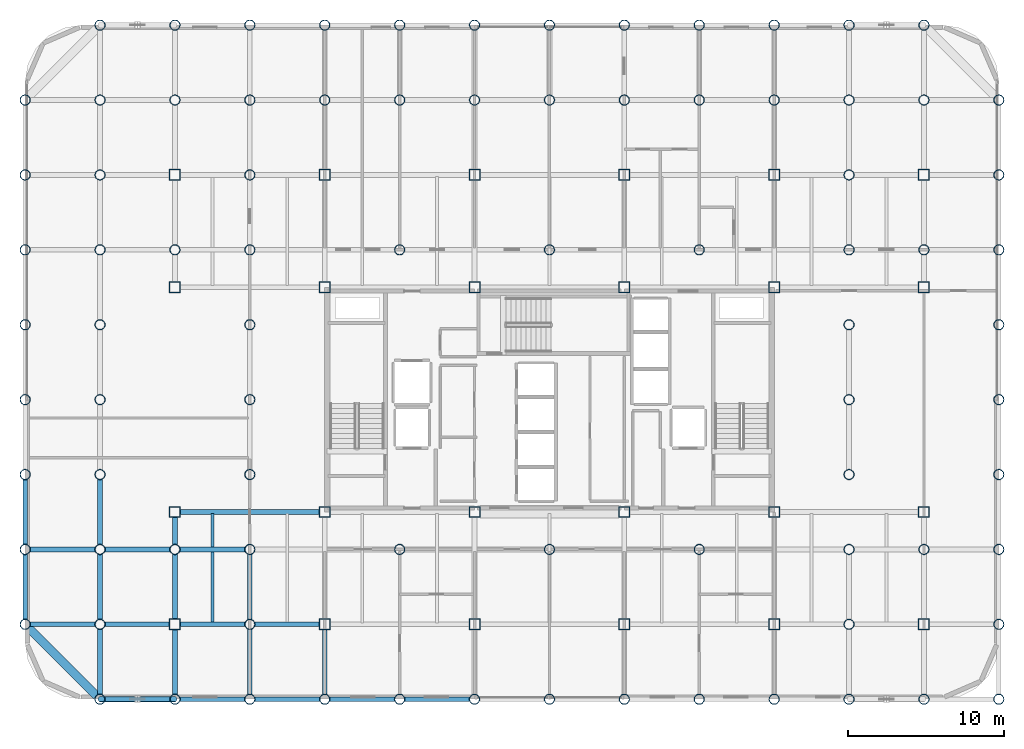
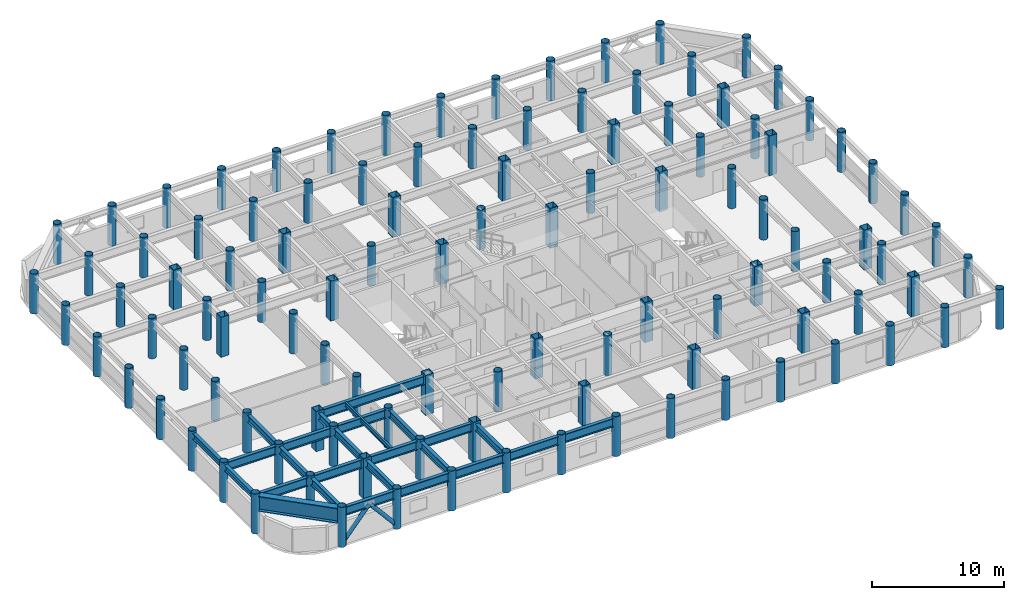
# One storey, part 1 of 20: 108 columns, 26 beams, 2 members.
"""IFC4 building model written with IfcOpenShell, lengths in metres."""

from ifc_helpers import new_model, si_unit, direction, frame, origin, origin_2d, place, context, subcontext, project, spatial, hollow_rectangle, hollow_circle, i_section, extrude, material, material_profile, profile_set, type_object, element, save


model = new_model("IFC4")

# Units and contexts
model_context = context("Model", 3, precision=1e-05, world=origin(), true_north=direction((0.0, 1.0)))
body_context = subcontext(model_context, "Body", "Model", "MODEL_VIEW")
ifc_project = project(units=[si_unit("LENGTHUNIT", "METRE"), si_unit("AREAUNIT", "SQUARE_METRE"), si_unit("VOLUMEUNIT", "CUBIC_METRE"), si_unit("PLANEANGLEUNIT", "RADIAN"), si_unit("MASSUNIT", "GRAM", prefix="KILO")], contexts=[model_context])

# Site, building, storey
site_placement = place(None, origin())
site = spatial("IfcSite", under=ifc_project, at=site_placement, CompositionType="ELEMENT")
building_placement = place(site_placement, origin())
building = spatial("IfcBuilding", under=site, at=building_placement, Name="Kallvorn Hotel Tower", CompositionType="ELEMENT")
storey_placement = place(building_placement, frame((0.0, 0.0, 143.300048828125)))
storey = spatial("IfcBuildingStorey", under=building, at=storey_placement, Name="L35", CompositionType="ELEMENT", Elevation=143.300048828125)

# Columns
ifc_material_1 = material(Name="Structural steel S355J2H", Category="steel")
ifc_material_profile_1 = material_profile(ifc_material_1, hollow_circle(Radius=0.330078125, WallThickness=0.028076171875, at=origin_2d()), Name="CHS 660x28")
ifc_profile_set_1 = profile_set([ifc_material_profile_1], Name="Structural steel S355J2H")
column_type_1 = type_object("IfcColumnType", Name="COL_CHS_660", PredefinedType="COLUMN", material=ifc_profile_set_1)
for number, where, z_axis, x_axis, name in (
    (1, (-33.60009765625, -14.39990234375, 0.0), (0.0, 0.0, 1.0), (1.0, 0.0, 0.0), "L35 Exoskeleton Column EC01"),
    (2, (-33.60009765625, -9.60009765625, 0.0), (0.0, 0.0, 1.0), (1.0, 0.0, 0.0), "L35 Exoskeleton Column EC02"),
    (3, (-33.60009765625, -4.800048828125, 0.0), (0.0, 0.0, 1.0), (1.0, 0.0, 0.0), "L35 Exoskeleton Column EC03"),
    (4, (-33.60009765625, 0.0, 0.0), (0.0, 0.0, 1.0), (1.0, 0.0, 0.0), "L35 Exoskeleton Column EC04"),
    (5, (-33.60009765625, 4.800048828125, 0.0), (0.0, 0.0, 1.0), (1.0, 0.0, 0.0), "L35 Exoskeleton Column EC05"),
    (6, (-33.60009765625, 9.60009765625, 0.0), (0.0, 0.0, 1.0), (1.0, 0.0, 0.0), "L35 Exoskeleton Column EC06"),
    (7, (-33.60009765625, 14.39990234375, 0.0), (0.0, 0.0, 1.0), (1.0, 0.0, 0.0), "L35 Exoskeleton Column EC07"),
    (8, (-33.60009765625, 19.199951171875, 0.0), (0.0, 0.0, 1.0), (1.0, 0.0, 0.0), "L35 Exoskeleton Column EC08"),
    (9, (-28.800048828125, -19.199951171875, 0.0), (0.0, 0.0, 1.0), (1.0, 0.0, 0.0), "L35 Exoskeleton Column EC09"),
    (10, (-28.800048828125, -14.39990234375, 0.0), (0.0, 0.0, 1.0), (1.0, 0.0, 0.0), "L35 Exoskeleton Column EC10"),
    (11, (-28.800048828125, -9.60009765625, 0.0), (0.0, 0.0, 1.0), (1.0, 0.0, 0.0), "L35 Exoskeleton Column EC11"),
    (12, (-28.800048828125, -4.800048828125, 0.0), (0.0, 0.0, 1.0), (1.0, 0.0, 0.0), "L35 Exoskeleton Column EC12"),
    (13, (-28.800048828125, 0.0, 0.0), (0.0, 0.0, 1.0), (1.0, 0.0, 0.0), "L35 Exoskeleton Column EC13"),
    (14, (-28.800048828125, 4.800048828125, 0.0), (0.0, 0.0, 1.0), (1.0, 0.0, 0.0), "L35 Exoskeleton Column EC14"),
    (15, (-28.800048828125, 9.60009765625, 0.0), (0.0, 0.0, 1.0), (1.0, 0.0, 0.0), "L35 Exoskeleton Column EC15"),
    (16, (-28.800048828125, 14.39990234375, 0.0), (0.0, 0.0, 1.0), (1.0, 0.0, 0.0), "L35 Exoskeleton Column EC16"),
    (17, (-28.800048828125, 19.199951171875, 0.0), (0.0, 0.0, 1.0), (1.0, 0.0, 0.0), "L35 Exoskeleton Column EC17"),
    (18, (-28.800048828125, 24.0, 0.0), (0.0, 0.0, 1.0), (1.0, 0.0, 0.0), "L35 Exoskeleton Column EC18"),
    (19, (-24.0, -19.199951171875, 0.0), (0.0, 0.0, 1.0), (1.0, 0.0, 0.0), "L35 Exoskeleton Column EC19"),
    (20, (-24.0, -9.60009765625, 0.0), (0.0, 0.0, 1.0), (1.0, 0.0, 0.0), "L35 Exoskeleton Column EC20"),
    (21, (-24.0, 9.60009765625, 0.0), (0.0, 0.0, 1.0), (1.0, 0.0, 0.0), "L35 Exoskeleton Column EC21"),
    (22, (-24.0, 19.199951171875, 0.0), (0.0, 0.0, 1.0), (1.0, 0.0, 0.0), "L35 Exoskeleton Column EC22"),
    (23, (-24.0, 24.0, 0.0), (0.0, 0.0, 1.0), (1.0, 0.0, 0.0), "L35 Exoskeleton Column EC23"),
    (24, (-19.199951171875, -19.199951171875, 0.0), (0.0, 0.0, 1.0), (1.0, 0.0, 0.0), "L35 Exoskeleton Column EC24"),
    (25, (-19.199951171875, -14.39990234375, 0.0), (0.0, 0.0, 1.0), (1.0, 0.0, 0.0), "L35 Exoskeleton Column EC25"),
    (26, (-19.199951171875, -9.60009765625, 0.0), (0.0, 0.0, 1.0), (1.0, 0.0, 0.0), "L35 Exoskeleton Column EC26"),
    (27, (-19.199951171875, -4.800048828125, 0.0), (0.0, 0.0, 1.0), (1.0, 0.0, 0.0), "L35 Exoskeleton Column EC27"),
    (28, (-19.199951171875, 0.0, 0.0), (0.0, 0.0, 1.0), (1.0, 0.0, 0.0), "L35 Exoskeleton Column EC28"),
    (29, (-19.199951171875, 4.800048828125, 0.0), (0.0, 0.0, 1.0), (1.0, 0.0, 0.0), "L35 Exoskeleton Column EC29"),
    (30, (-19.199951171875, 9.60009765625, 0.0), (0.0, 0.0, 1.0), (1.0, 0.0, 0.0), "L35 Exoskeleton Column EC30"),
    (31, (-19.199951171875, 14.39990234375, 0.0), (0.0, 0.0, 1.0), (1.0, 0.0, 0.0), "L35 Exoskeleton Column EC31"),
    (32, (-19.199951171875, 19.199951171875, 0.0), (0.0, 0.0, 1.0), (1.0, 0.0, 0.0), "L35 Exoskeleton Column EC32"),
    (33, (-19.199951171875, 24.0, 0.0), (0.0, 0.0, 1.0), (1.0, 0.0, 0.0), "L35 Exoskeleton Column EC33"),
    (34, (-14.39990234375, -19.199951171875, 0.0), (0.0, 0.0, 1.0), (1.0, 0.0, 0.0), "L35 Exoskeleton Column EC34"),
    (35, (-14.39990234375, 19.199951171875, 0.0), (0.0, 0.0, 1.0), (1.0, 0.0, 0.0), "L35 Exoskeleton Column EC35"),
    (36, (-14.39990234375, 24.0, 0.0), (0.0, 0.0, 1.0), (1.0, 0.0, 0.0), "L35 Exoskeleton Column EC36"),
    (37, (-9.60009765625, -19.199951171875, 0.0), (0.0, 0.0, 1.0), (1.0, 0.0, 0.0), "L35 Exoskeleton Column EC37"),
    (38, (-9.60009765625, -9.60009765625, 0.0), (0.0, 0.0, 1.0), (1.0, 0.0, 0.0), "L35 Exoskeleton Column EC38"),
    (39, (-9.60009765625, 9.60009765625, 0.0), (0.0, 0.0, 1.0), (1.0, 0.0, 0.0), "L35 Exoskeleton Column EC39"),
    (40, (-9.60009765625, 19.199951171875, 0.0), (0.0, 0.0, 1.0), (1.0, 0.0, 0.0), "L35 Exoskeleton Column EC40"),
    (41, (-9.60009765625, 24.0, 0.0), (0.0, 0.0, 1.0), (1.0, 0.0, 0.0), "L35 Exoskeleton Column EC41"),
    (42, (-4.800048828125, -19.199951171875, 0.0), (0.0, 0.0, 1.0), (1.0, 0.0, 0.0), "L35 Exoskeleton Column EC42"),
    (43, (-4.800048828125, 19.199951171875, 0.0), (0.0, 0.0, 1.0), (1.0, 0.0, 0.0), "L35 Exoskeleton Column EC43"),
    (44, (-4.800048828125, 24.0, 0.0), (0.0, 0.0, 1.0), (1.0, 0.0, 0.0), "L35 Exoskeleton Column EC44"),
    (45, (0.0, -19.199951171875, 0.0), (0.0, 0.0, 1.0), (1.0, 0.0, 0.0), "L35 Exoskeleton Column EC45"),
    (46, (0.0, -9.60009765625, 0.0), (0.0, 0.0, 1.0), (1.0, 0.0, 0.0), "L35 Exoskeleton Column EC46"),
    (47, (0.0, 9.60009765625, 0.0), (0.0, 0.0, 1.0), (1.0, 0.0, 0.0), "L35 Exoskeleton Column EC47"),
    (48, (0.0, 19.199951171875, 0.0), (0.0, 0.0, 1.0), (1.0, 0.0, 0.0), "L35 Exoskeleton Column EC48"),
    (49, (0.0, 24.0, 0.0), (0.0, 0.0, 1.0), (1.0, 0.0, 0.0), "L35 Exoskeleton Column EC49"),
    (50, (4.800048828125, -19.199951171875, 0.0), (0.0, 0.0, 1.0), (1.0, 0.0, 0.0), "L35 Exoskeleton Column EC50"),
    (51, (4.800048828125, 19.199951171875, 0.0), (0.0, 0.0, 1.0), (1.0, 0.0, 0.0), "L35 Exoskeleton Column EC51"),
    (52, (4.800048828125, 24.0, 0.0), (0.0, 0.0, 1.0), (1.0, 0.0, 0.0), "L35 Exoskeleton Column EC52"),
    (53, (9.60009765625, -19.199951171875, 0.0), (0.0, 0.0, 1.0), (1.0, 0.0, 0.0), "L35 Exoskeleton Column EC53"),
    (54, (9.60009765625, -9.60009765625, 0.0), (0.0, 0.0, 1.0), (1.0, 0.0, 0.0), "L35 Exoskeleton Column EC54"),
    (55, (9.60009765625, 9.60009765625, 0.0), (0.0, 0.0, 1.0), (1.0, 0.0, 0.0), "L35 Exoskeleton Column EC55"),
    (56, (9.60009765625, 19.199951171875, 0.0), (0.0, 0.0, 1.0), (1.0, 0.0, 0.0), "L35 Exoskeleton Column EC56"),
    (57, (9.60009765625, 24.0, 0.0), (0.0, 0.0, 1.0), (1.0, 0.0, 0.0), "L35 Exoskeleton Column EC57"),
    (58, (14.39990234375, -19.199951171875, 0.0), (0.0, 0.0, 1.0), (1.0, 0.0, 0.0), "L35 Exoskeleton Column EC58"),
    (59, (14.39990234375, 19.199951171875, 0.0), (0.0, 0.0, 1.0), (1.0, 0.0, 0.0), "L35 Exoskeleton Column EC59"),
    (60, (14.39990234375, 24.0, 0.0), (0.0, 0.0, 1.0), (1.0, 0.0, 0.0), "L35 Exoskeleton Column EC60"),
    (61, (19.199951171875, -19.199951171875, 0.0), (0.0, 0.0, 1.0), (1.0, 0.0, 0.0), "L35 Exoskeleton Column EC61"),
    (62, (19.199951171875, -14.39990234375, 0.0), (0.0, 0.0, 1.0), (1.0, 0.0, 0.0), "L35 Exoskeleton Column EC62"),
    (63, (19.199951171875, -9.60009765625, 0.0), (0.0, 0.0, 1.0), (1.0, 0.0, 0.0), "L35 Exoskeleton Column EC63"),
    (64, (19.199951171875, -4.800048828125, 0.0), (0.0, 0.0, 1.0), (1.0, 0.0, 0.0), "L35 Exoskeleton Column EC64"),
    (65, (19.199951171875, 0.0, 0.0), (0.0, 0.0, 1.0), (1.0, 0.0, 0.0), "L35 Exoskeleton Column EC65"),
    (66, (19.199951171875, 4.800048828125, 0.0), (0.0, 0.0, 1.0), (1.0, 0.0, 0.0), "L35 Exoskeleton Column EC66"),
    (67, (19.199951171875, 9.60009765625, 0.0), (0.0, 0.0, 1.0), (1.0, 0.0, 0.0), "L35 Exoskeleton Column EC67"),
    (68, (19.199951171875, 14.39990234375, 0.0), (0.0, 0.0, 1.0), (1.0, 0.0, 0.0), "L35 Exoskeleton Column EC68"),
    (69, (19.199951171875, 19.199951171875, 0.0), (0.0, 0.0, 1.0), (1.0, 0.0, 0.0), "L35 Exoskeleton Column EC69"),
    (70, (19.199951171875, 24.0, 0.0), (0.0, 0.0, 1.0), (1.0, 0.0, 0.0), "L35 Exoskeleton Column EC70"),
    (71, (24.0, -19.199951171875, 0.0), (0.0, 0.0, 1.0), (1.0, 0.0, 0.0), "L35 Exoskeleton Column EC71"),
    (72, (24.0, -9.60009765625, 0.0), (0.0, 0.0, 1.0), (1.0, 0.0, 0.0), "L35 Exoskeleton Column EC72"),
    (73, (24.0, 9.60009765625, 0.0), (0.0, 0.0, 1.0), (1.0, 0.0, 0.0), "L35 Exoskeleton Column EC73"),
    (74, (24.0, 19.199951171875, 0.0), (0.0, 0.0, 1.0), (1.0, 0.0, 0.0), "L35 Exoskeleton Column EC74"),
    (75, (24.0, 24.0, 0.0), (0.0, 0.0, 1.0), (1.0, 0.0, 0.0), "L35 Exoskeleton Column EC75"),
    (76, (28.800048828125, -19.199951171875, 0.0), (0.0, 0.0, 1.0), (1.0, 0.0, 0.0), "L35 Exoskeleton Column EC76"),
    (77, (28.800048828125, -14.39990234375, 0.0), (0.0, 0.0, 1.0), (1.0, 0.0, 0.0), "L35 Exoskeleton Column EC77"),
    (78, (28.800048828125, -9.60009765625, 0.0), (0.0, 0.0, 1.0), (1.0, 0.0, 0.0), "L35 Exoskeleton Column EC78"),
    (79, (28.800048828125, -4.800048828125, 0.0), (0.0, 0.0, 1.0), (1.0, 0.0, 0.0), "L35 Exoskeleton Column EC79"),
    (80, (28.800048828125, 0.0, 0.0), (0.0, 0.0, 1.0), (1.0, 0.0, 0.0), "L35 Exoskeleton Column EC80"),
    (81, (28.800048828125, 4.800048828125, 0.0), (0.0, 0.0, 1.0), (1.0, 0.0, 0.0), "L35 Exoskeleton Column EC81"),
    (82, (28.800048828125, 9.60009765625, 0.0), (0.0, 0.0, 1.0), (1.0, 0.0, 0.0), "L35 Exoskeleton Column EC82"),
    (83, (28.800048828125, 14.39990234375, 0.0), (0.0, 0.0, 1.0), (1.0, 0.0, 0.0), "L35 Exoskeleton Column EC83"),
    (84, (28.800048828125, 19.199951171875, 0.0), (0.0, 0.0, 1.0), (1.0, 0.0, 0.0), "L35 Exoskeleton Column EC84"),
):
    element("IfcColumn", number, at=place(storey_placement, frame(where, z_axis=z_axis, x_axis=x_axis)), inside=storey, type_object=column_type_1, Name=name, PredefinedType="COLUMN", context=body_context, shape_type="SweptSolid", body=[
        extrude(hollow_circle(Radius=0.330078125, WallThickness=0.028076171875, at=origin_2d()), origin(), (0.0, 0.0, 1.0), 3.699951171875),
    ])
ifc_material_2 = material(Name="Structural steel S355J2H", Category="steel")
ifc_material_profile_2 = material_profile(ifc_material_2, hollow_rectangle(XDim=0.699951171875, YDim=0.699951171875, WallThickness=0.031982421875, at=origin_2d()), Name="RHS 700x700x32")
ifc_profile_set_2 = profile_set([ifc_material_profile_2], Name="Structural steel S355J2H")
column_type_2 = type_object("IfcColumnType", Name="COL_RHS_700", PredefinedType="COLUMN", material=ifc_profile_set_2)
for number, where, z_axis, x_axis, name in (
    (85, (-24.0, -14.39990234375, 0.0), (0.0, 0.0, 1.0), (1.0, 0.0, 0.0), "L35 Inner Column IC01"),
    (86, (-24.0, -7.199951171875, 0.0), (0.0, 0.0, 1.0), (1.0, 0.0, 0.0), "L35 Inner Column IC02"),
    (87, (-24.0, 7.199951171875, 0.0), (0.0, 0.0, 1.0), (1.0, 0.0, 0.0), "L35 Inner Column IC03"),
    (88, (-24.0, 14.39990234375, 0.0), (0.0, 0.0, 1.0), (1.0, 0.0, 0.0), "L35 Inner Column IC04"),
    (89, (-14.39990234375, -14.39990234375, 0.0), (0.0, 0.0, 1.0), (1.0, 0.0, 0.0), "L35 Inner Column IC05"),
    (90, (-14.39990234375, -7.199951171875, 0.0), (0.0, 0.0, 1.0), (1.0, 0.0, 0.0), "L35 Inner Column IC06"),
    (91, (-14.39990234375, 7.199951171875, 0.0), (0.0, 0.0, 1.0), (1.0, 0.0, 0.0), "L35 Inner Column IC07"),
    (92, (-14.39990234375, 14.39990234375, 0.0), (0.0, 0.0, 1.0), (1.0, 0.0, 0.0), "L35 Inner Column IC08"),
    (93, (-4.800048828125, -14.39990234375, 0.0), (0.0, 0.0, 1.0), (1.0, 0.0, 0.0), "L35 Inner Column IC09"),
    (94, (-4.800048828125, -7.199951171875, 0.0), (0.0, 0.0, 1.0), (1.0, 0.0, 0.0), "L35 Inner Column IC10"),
    (95, (-4.800048828125, 7.199951171875, 0.0), (0.0, 0.0, 1.0), (1.0, 0.0, 0.0), "L35 Inner Column IC11"),
    (96, (-4.800048828125, 14.39990234375, 0.0), (0.0, 0.0, 1.0), (1.0, 0.0, 0.0), "L35 Inner Column IC12"),
    (97, (4.800048828125, -14.39990234375, 0.0), (0.0, 0.0, 1.0), (1.0, 0.0, 0.0), "L35 Inner Column IC13"),
    (98, (4.800048828125, -7.199951171875, 0.0), (0.0, 0.0, 1.0), (1.0, 0.0, 0.0), "L35 Inner Column IC14"),
    (99, (4.800048828125, 7.199951171875, 0.0), (0.0, 0.0, 1.0), (1.0, 0.0, 0.0), "L35 Inner Column IC15"),
    (100, (4.800048828125, 14.39990234375, 0.0), (0.0, 0.0, 1.0), (1.0, 0.0, 0.0), "L35 Inner Column IC16"),
    (101, (14.39990234375, -14.39990234375, 0.0), (0.0, 0.0, 1.0), (1.0, 0.0, 0.0), "L35 Inner Column IC17"),
    (102, (14.39990234375, -7.199951171875, 0.0), (0.0, 0.0, 1.0), (1.0, 0.0, 0.0), "L35 Inner Column IC18"),
    (103, (14.39990234375, 7.199951171875, 0.0), (0.0, 0.0, 1.0), (1.0, 0.0, 0.0), "L35 Inner Column IC19"),
    (104, (14.39990234375, 14.39990234375, 0.0), (0.0, 0.0, 1.0), (1.0, 0.0, 0.0), "L35 Inner Column IC20"),
    (105, (24.0, -14.39990234375, 0.0), (0.0, 0.0, 1.0), (1.0, 0.0, 0.0), "L35 Inner Column IC21"),
    (106, (24.0, -7.199951171875, 0.0), (0.0, 0.0, 1.0), (1.0, 0.0, 0.0), "L35 Inner Column IC22"),
    (107, (24.0, 7.199951171875, 0.0), (0.0, 0.0, 1.0), (1.0, 0.0, 0.0), "L35 Inner Column IC23"),
    (108, (24.0, 14.39990234375, 0.0), (0.0, 0.0, 1.0), (1.0, 0.0, 0.0), "L35 Inner Column IC24"),
):
    element("IfcColumn", number, at=place(storey_placement, frame(where, z_axis=z_axis, x_axis=x_axis)), inside=storey, type_object=column_type_2, Name=name, PredefinedType="COLUMN", context=body_context, shape_type="SweptSolid", body=[
        extrude(hollow_rectangle(XDim=0.699951171875, YDim=0.699951171875, WallThickness=0.031982421875, at=origin_2d()), origin(), (0.0, 0.0, 1.0), 3.699951171875),
    ])

# Beams
ifc_material_3 = material(Name="Structural steel S355JR", Category="steel")
ifc_material_profile_3 = material_profile(ifc_material_3, i_section(OverallWidth=0.300048828125, OverallDepth=0.550048828125, WebThickness=0.014892578125, FlangeThickness=0.029052734375, at=origin_2d()), Name="HE 550 B")
ifc_profile_set_3 = profile_set([ifc_material_profile_3], Name="Structural steel S355JR")
beam_type_1 = type_object("IfcBeamType", Name="BM_HE550B", PredefinedType="SPANDREL", material=ifc_profile_set_3)
beam_1_placement = place(storey_placement, frame((-33.60009765625, -14.080078125, 3.244873046875), z_axis=(0.0, 1.0, 0.0), x_axis=(-1.0, 0.0, 0.0)))
element("IfcBeam", 109, at=beam_1_placement, inside=storey, type_object=beam_type_1, Name="L36 Perimeter Spandrel 174", PredefinedType="SPANDREL", context=body_context, shape_type="SweptSolid", body=[
    extrude(i_section(OverallWidth=0.300048828125, OverallDepth=0.550048828125, WebThickness=0.014892578125, FlangeThickness=0.029052734375, at=origin_2d()), origin(), (0.0, 0.0, 1.0), 4.16015625),
])
beam_2_placement = place(storey_placement, frame((-33.60009765625, -9.280029296875, 3.244873046875), z_axis=(0.0, 1.0, 0.0), x_axis=(-1.0, 0.0, 0.0)))
element("IfcBeam", 110, at=beam_2_placement, inside=storey, type_object=beam_type_1, Name="L36 Perimeter Spandrel 175", PredefinedType="SPANDREL", context=body_context, shape_type="SweptSolid", body=[
    extrude(i_section(OverallWidth=0.300048828125, OverallDepth=0.550048828125, WebThickness=0.014892578125, FlangeThickness=0.029052734375, at=origin_2d()), origin(), (0.0, 0.0, 1.0), 4.159912109375),
])
ifc_material_4 = material(Name="Structural steel S355JR", Category="steel")
ifc_material_profile_4 = material_profile(ifc_material_4, i_section(OverallWidth=0.300048828125, OverallDepth=0.64990234375, WebThickness=0.01611328125, FlangeThickness=0.031005859375, at=origin_2d()), Name="HE 650 B")
ifc_profile_set_4 = profile_set([ifc_material_profile_4], Name="Structural steel S355JR")
beam_type_2 = type_object("IfcBeamType", Name="BM_HE650B", PredefinedType="BEAM", material=ifc_profile_set_4)
for number, where, z_axis, x_axis, name in (
    (111, (-28.800048828125, -18.89501953125, 3.195068359375), (0.0, 1.0, 0.0), (-1.0, 0.0, 0.0), "L36 Primary Y-Girder 73"),
    (112, (-28.800048828125, -14.094970703125, 3.195068359375), (0.0, 1.0, 0.0), (-1.0, 0.0, 0.0), "L36 Primary Y-Girder 74"),
    (113, (-28.800048828125, -9.294921875, 3.195068359375), (0.0, 1.0, 0.0), (-1.0, 0.0, 0.0), "L36 Primary Y-Girder 75"),
):
    element("IfcBeam", number, at=place(storey_placement, frame(where, z_axis=z_axis, x_axis=x_axis)), inside=storey, type_object=beam_type_2, Name=name, PredefinedType="BEAM", context=body_context, shape_type="SweptSolid", body=[
        extrude(i_section(OverallWidth=0.300048828125, OverallDepth=0.64990234375, WebThickness=0.01611328125, FlangeThickness=0.031005859375, at=origin_2d()), origin(), (0.0, 0.0, 1.0), 4.18994140625),
    ])
for number, where, z_axis, x_axis, name in (
    (114, (-24.0, -18.89501953125, 3.195068359375), (0.0, 1.0, 0.0), (-1.0, 0.0, 0.0), "L36 Primary Y-Girder 82"),
    (115, (-24.0, -14.074951171875, 3.195068359375), (0.0, 1.0, 0.0), (-1.0, 0.0, 0.0), "L36 Primary Y-Girder 83"),
):
    element("IfcBeam", number, at=place(storey_placement, frame(where, z_axis=z_axis, x_axis=x_axis)), inside=storey, type_object=beam_type_2, Name=name, PredefinedType="BEAM", context=body_context, shape_type="SweptSolid", body=[
        extrude(i_section(OverallWidth=0.300048828125, OverallDepth=0.64990234375, WebThickness=0.01611328125, FlangeThickness=0.031005859375, at=origin_2d()), origin(), (0.0, 0.0, 1.0), 4.169921875),
    ])
beam_3_placement = place(storey_placement, frame((-24.0, -9.294921875, 3.195068359375), z_axis=(0.0, 1.0, 0.0), x_axis=(-1.0, 0.0, 0.0)))
element("IfcBeam", 116, at=beam_3_placement, inside=storey, type_object=beam_type_2, Name="L36 Primary Y-Girder 84", PredefinedType="BEAM", context=body_context, shape_type="SweptSolid", body=[
    extrude(i_section(OverallWidth=0.300048828125, OverallDepth=0.64990234375, WebThickness=0.01611328125, FlangeThickness=0.031005859375, at=origin_2d()), origin(), (0.0, 0.0, 1.0), 1.77001953125),
])
for number, where, z_axis, x_axis, name in (
    (117, (-19.199951171875, -18.89501953125, 3.195068359375), (0.0, 1.0, 0.0), (-1.0, 0.0, 0.0), "L36 Primary Y-Girder 89"),
    (118, (-19.199951171875, -14.094970703125, 3.195068359375), (0.0, 1.0, 0.0), (-1.0, 0.0, 0.0), "L36 Primary Y-Girder 90"),
):
    element("IfcBeam", number, at=place(storey_placement, frame(where, z_axis=z_axis, x_axis=x_axis)), inside=storey, type_object=beam_type_2, Name=name, PredefinedType="BEAM", context=body_context, shape_type="SweptSolid", body=[
        extrude(i_section(OverallWidth=0.300048828125, OverallDepth=0.64990234375, WebThickness=0.01611328125, FlangeThickness=0.031005859375, at=origin_2d()), origin(), (0.0, 0.0, 1.0), 4.18994140625),
    ])
beam_4_placement = place(storey_placement, frame((-14.39990234375, -18.89501953125, 3.195068359375), z_axis=(0.0, 1.0, 0.0), x_axis=(-1.0, 0.0, 0.0)))
element("IfcBeam", 119, at=beam_4_placement, inside=storey, type_object=beam_type_2, Name="L36 Primary Y-Girder 98", PredefinedType="BEAM", context=body_context, shape_type="SweptSolid", body=[
    extrude(i_section(OverallWidth=0.300048828125, OverallDepth=0.64990234375, WebThickness=0.01611328125, FlangeThickness=0.031005859375, at=origin_2d()), origin(), (0.0, 0.0, 1.0), 4.169921875),
])
ifc_material_5 = material(Name="Structural steel S355JR", Category="steel")
ifc_material_profile_5 = material_profile(ifc_material_5, i_section(OverallWidth=0.300048828125, OverallDepth=0.800048828125, WebThickness=0.017578125, FlangeThickness=0.032958984375, at=origin_2d()), Name="HE 800 B")
ifc_profile_set_5 = profile_set([ifc_material_profile_5], Name="Structural steel S355JR")
beam_type_3 = type_object("IfcBeamType", Name="BM_HE800B", PredefinedType="BEAM", material=ifc_profile_set_5)
for number, where, z_axis, x_axis, name in (
    (120, (-28.4951171875, -19.199951171875, 3.119873046875), (1.0, 0.0, 0.0), (0.0, 1.0, 0.0), "L36 Primary X-Girder 01"),
    (121, (-23.695068359375, -19.199951171875, 3.119873046875), (1.0, 0.0, 0.0), (0.0, 1.0, 0.0), "L36 Primary X-Girder 02"),
):
    element("IfcBeam", number, at=place(storey_placement, frame(where, z_axis=z_axis, x_axis=x_axis)), inside=storey, type_object=beam_type_3, Name=name, PredefinedType="BEAM", context=body_context, shape_type="SweptSolid", body=[
        extrude(i_section(OverallWidth=0.300048828125, OverallDepth=0.800048828125, WebThickness=0.017578125, FlangeThickness=0.032958984375, at=origin_2d()), origin(), (0.0, 0.0, 1.0), 4.190185546875),
    ])
for number, where, z_axis, x_axis, name in (
    (122, (-18.89501953125, -19.199951171875, 3.119873046875), (1.0, 0.0, 0.0), (0.0, 1.0, 0.0), "L36 Primary X-Girder 03"),
    (123, (-14.094970703125, -19.199951171875, 3.119873046875), (1.0, 0.0, 0.0), (0.0, 1.0, 0.0), "L36 Primary X-Girder 04"),
    (124, (-9.294921875, -19.199951171875, 3.119873046875), (1.0, 0.0, 0.0), (0.0, 1.0, 0.0), "L36 Primary X-Girder 05"),
    (125, (-33.294921875, -14.39990234375, 3.119873046875), (1.0, 0.0, 0.0), (0.0, 1.0, 0.0), "L36 Primary X-Girder 13"),
):
    element("IfcBeam", number, at=place(storey_placement, frame(where, z_axis=z_axis, x_axis=x_axis)), inside=storey, type_object=beam_type_3, Name=name, PredefinedType="BEAM", context=body_context, shape_type="SweptSolid", body=[
        extrude(i_section(OverallWidth=0.300048828125, OverallDepth=0.800048828125, WebThickness=0.017578125, FlangeThickness=0.032958984375, at=origin_2d()), origin(), (0.0, 0.0, 1.0), 4.18994140625),
    ])
for number, where, z_axis, x_axis, name in (
    (126, (-28.4951171875, -14.39990234375, 3.119873046875), (1.0, 0.0, 0.0), (0.0, 1.0, 0.0), "L36 Primary X-Girder 14"),
    (127, (-23.675048828125, -14.39990234375, 3.119873046875), (1.0, 0.0, 0.0), (0.0, 1.0, 0.0), "L36 Primary X-Girder 15"),
):
    element("IfcBeam", number, at=place(storey_placement, frame(where, z_axis=z_axis, x_axis=x_axis)), inside=storey, type_object=beam_type_3, Name=name, PredefinedType="BEAM", context=body_context, shape_type="SweptSolid", body=[
        extrude(i_section(OverallWidth=0.300048828125, OverallDepth=0.800048828125, WebThickness=0.017578125, FlangeThickness=0.032958984375, at=origin_2d()), origin(), (0.0, 0.0, 1.0), 4.170166015625),
    ])
beam_5_placement = place(storey_placement, frame((-18.89501953125, -14.39990234375, 3.119873046875), z_axis=(1.0, 0.0, 0.0), x_axis=(0.0, 1.0, 0.0)))
element("IfcBeam", 128, at=beam_5_placement, inside=storey, type_object=beam_type_3, Name="L36 Primary X-Girder 16", PredefinedType="BEAM", context=body_context, shape_type="SweptSolid", body=[
    extrude(i_section(OverallWidth=0.300048828125, OverallDepth=0.800048828125, WebThickness=0.017578125, FlangeThickness=0.032958984375, at=origin_2d()), origin(), (0.0, 0.0, 1.0), 4.169921875),
])
beam_6_placement = place(storey_placement, frame((-33.294921875, -9.60009765625, 3.119873046875), z_axis=(1.0, 0.0, 0.0), x_axis=(0.0, 1.0, 0.0)))
element("IfcBeam", 129, at=beam_6_placement, inside=storey, type_object=beam_type_3, Name="L36 Primary X-Girder 23", PredefinedType="BEAM", context=body_context, shape_type="SweptSolid", body=[
    extrude(i_section(OverallWidth=0.300048828125, OverallDepth=0.800048828125, WebThickness=0.017578125, FlangeThickness=0.032958984375, at=origin_2d()), origin(), (0.0, 0.0, 1.0), 4.18994140625),
])
for number, where, z_axis, x_axis, name in (
    (130, (-28.4951171875, -9.60009765625, 3.119873046875), (1.0, 0.0, 0.0), (0.0, 1.0, 0.0), "L36 Primary X-Girder 24"),
    (131, (-23.695068359375, -9.60009765625, 3.119873046875), (1.0, 0.0, 0.0), (0.0, 1.0, 0.0), "L36 Primary X-Girder 25"),
):
    element("IfcBeam", number, at=place(storey_placement, frame(where, z_axis=z_axis, x_axis=x_axis)), inside=storey, type_object=beam_type_3, Name=name, PredefinedType="BEAM", context=body_context, shape_type="SweptSolid", body=[
        extrude(i_section(OverallWidth=0.300048828125, OverallDepth=0.800048828125, WebThickness=0.017578125, FlangeThickness=0.032958984375, at=origin_2d()), origin(), (0.0, 0.0, 1.0), 4.190185546875),
    ])
beam_7_placement = place(storey_placement, frame((-23.675048828125, -7.199951171875, 3.119873046875), z_axis=(1.0, 0.0, 0.0), x_axis=(0.0, 1.0, 0.0)))
element("IfcBeam", 132, at=beam_7_placement, inside=storey, type_object=beam_type_3, Name="L36 Primary X-Girder 32", PredefinedType="BEAM", context=body_context, shape_type="SweptSolid", body=[
    extrude(i_section(OverallWidth=0.300048828125, OverallDepth=0.800048828125, WebThickness=0.017578125, FlangeThickness=0.032958984375, at=origin_2d()), origin(), (0.0, 0.0, 1.0), 8.949951171875),
])
ifc_material_6 = material(Name="Structural steel S355JR", Category="steel")
ifc_material_profile_6 = material_profile(ifc_material_6, i_section(OverallWidth=0.179931640625, OverallDepth=0.39990234375, WebThickness=0.008544921875, FlangeThickness=0.013427734375, at=origin_2d()), Name="IPE 400")
ifc_profile_set_6 = profile_set([ifc_material_profile_6], Name="Structural steel S355JR")
beam_type_4 = type_object("IfcBeamType", Name="BM_IPE400", PredefinedType="JOIST", material=ifc_profile_set_6)
beam_8_placement = place(storey_placement, frame((-21.60009765625, -14.300048828125, 3.320068359375), z_axis=(0.0, 1.0, 0.0), x_axis=(-1.0, 0.0, 0.0)))
element("IfcBeam", 133, at=beam_8_placement, inside=storey, type_object=beam_type_4, Name="L36 Secondary Composite Joist 192", PredefinedType="JOIST", context=body_context, shape_type="SweptSolid", body=[
    extrude(i_section(OverallWidth=0.179931640625, OverallDepth=0.39990234375, WebThickness=0.008544921875, FlangeThickness=0.013427734375, at=origin_2d()), origin(), (0.0, 0.0, 1.0), 7.0),
])
ifc_material_7 = material(Name="Structural steel S355JR", Category="steel")
ifc_material_profile_7 = material_profile(ifc_material_7, i_section(OverallWidth=0.550048828125, OverallDepth=1.39990234375, WebThickness=0.02490234375, FlangeThickness=0.044921875, at=origin_2d()), Name="PG 1400x550x25x45")
ifc_profile_set_7 = profile_set([ifc_material_profile_7], Name="Structural steel S355JR")
beam_type_5 = type_object("IfcBeamType", Name="BM_PG_1400", PredefinedType="BEAM", material=ifc_profile_set_7)
beam_9_placement = place(storey_placement, frame((-33.373779296875, -14.626220703125, 2.820068359375), z_axis=(0.707106781187, -0.707106781187, 0.0), x_axis=(0.707106781187, 0.707106781187, 0.0)))
element("IfcBeam", 134, at=beam_9_placement, inside=storey, type_object=beam_type_5, Name="L36 Rounded Corner Tie Beam 189", PredefinedType="BEAM", context=body_context, shape_type="SweptSolid", body=[
    extrude(i_section(OverallWidth=0.550048828125, OverallDepth=1.39990234375, WebThickness=0.02490234375, FlangeThickness=0.044921875, at=origin_2d()), origin(), (0.0, 0.0, 1.0), 6.148193359375),
])

# Members
ifc_material_8 = material(Name="Structural steel S355J2H", Category="steel")
ifc_material_profile_8 = material_profile(ifc_material_8, hollow_circle(Radius=0.177734375, WallThickness=0.01416015625, at=origin_2d()), Name="CHS 355.6x14.2")
ifc_profile_set_8 = profile_set([ifc_material_profile_8], Name="Structural steel S355J2H")
member_type = type_object("IfcMemberType", Name="MBR_EXO_CHS355", PredefinedType="BRACE", material=ifc_profile_set_8)
for number, where, z_axis, x_axis, name in (
    (135, (-28.787109375, -19.199951171875, 0.1953125), (0.646833296797, 0.0, 0.762631422218), (0.0, 1.0, 0.0), "L35 Exoskeleton K-Brace S1A"),
    (136, (-24.012939453125, -19.199951171875, 0.1953125), (-0.646833296797, 0.0, 0.762631422218), (0.0, -1.0, 0.0), "L35 Exoskeleton K-Brace S1B"),
):
    element("IfcMember", number, at=place(storey_placement, frame(where, z_axis=z_axis, x_axis=x_axis)), inside=storey, type_object=member_type, Name=name, PredefinedType="BRACE", context=body_context, shape_type="SweptSolid", body=[
        extrude(hollow_circle(Radius=0.177734375, WallThickness=0.01416015625, at=origin_2d()), origin(), (0.0, 0.0, 1.0), 3.670654296875),
    ])

save(model, "model.ifc")
